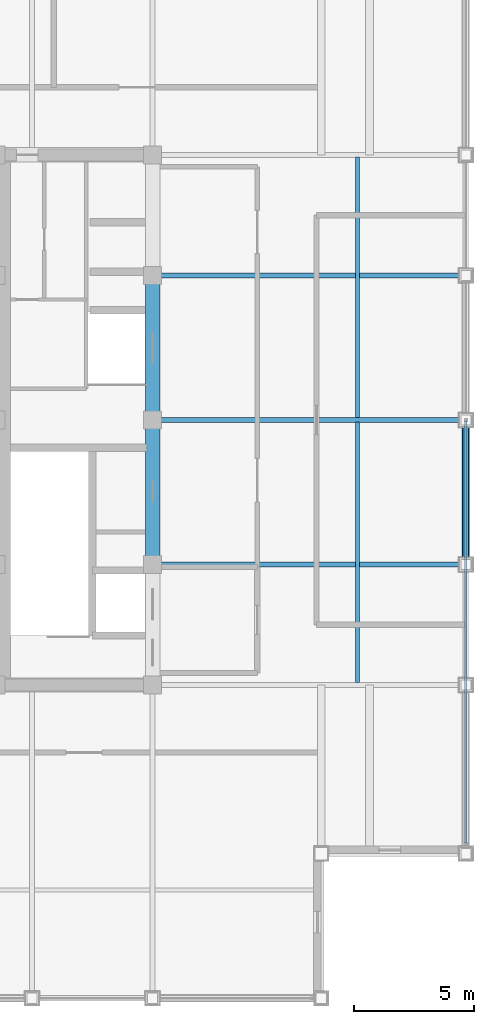
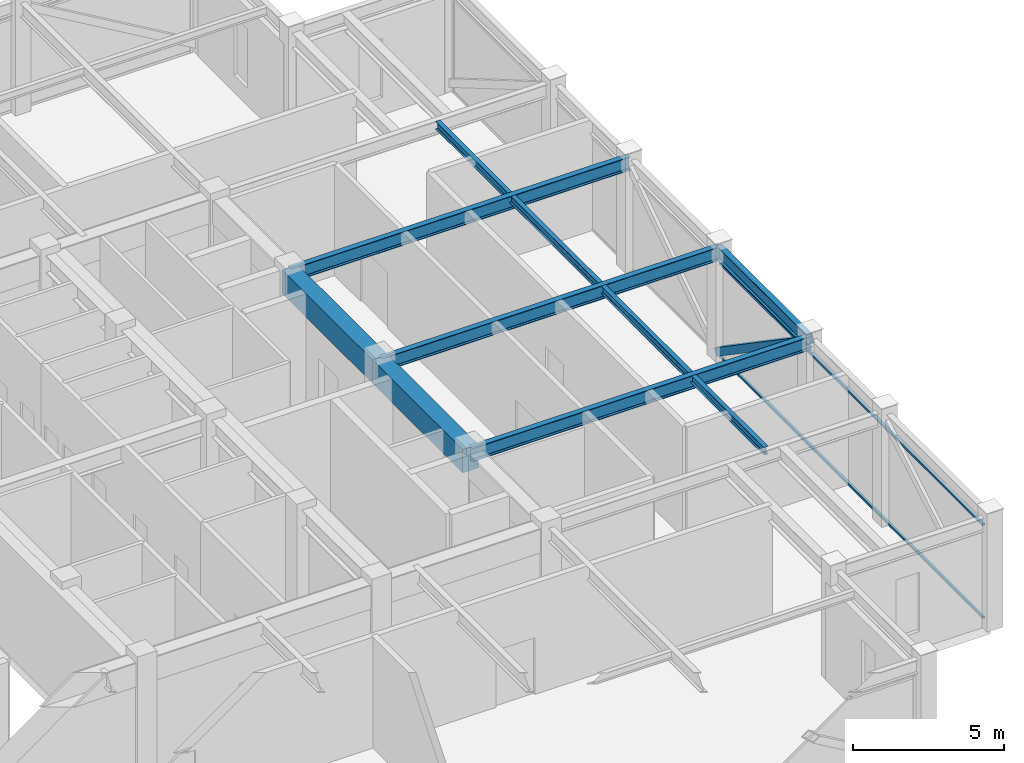
# One storey, part 11 of 27: 8 beams, 3 members, 1 element without a shape of its own.
"""IFC4 building model written with IfcOpenShell, lengths in metres."""

from ifc_helpers import new_model, si_unit, direction, frame, origin, origin_2d, place, context, subcontext, project, spatial, rectangle, hollow_rectangle, i_section, extrude, source, transform, mapped, material, material_profile, profile_set, type_object, element, aggregate, save


model = new_model("IFC4")

# Units and contexts
model_context = context("Model", 3, precision=1e-05, world=origin(), true_north=direction((0.0, 1.0)))
body_context = subcontext(model_context, "Body", "Model", "MODEL_VIEW")
ifc_project = project(units=[si_unit("LENGTHUNIT", "METRE"), si_unit("AREAUNIT", "SQUARE_METRE"), si_unit("VOLUMEUNIT", "CUBIC_METRE"), si_unit("PLANEANGLEUNIT", "RADIAN"), si_unit("MASSUNIT", "GRAM", prefix="KILO")], contexts=[model_context])

# Site, building, storey
site_placement = place(None, origin())
site = spatial("IfcSite", under=ifc_project, at=site_placement, CompositionType="ELEMENT")
building_placement = place(site_placement, origin())
building = spatial("IfcBuilding", under=site, at=building_placement, Name="Khorayat Bourse Tower", CompositionType="ELEMENT")
storey_placement = place(building_placement, frame((0.0, 0.0, 399.5)))
storey = spatial("IfcBuildingStorey", under=building, at=storey_placement, Name="L94", CompositionType="ELEMENT", Elevation=399.5)

# Beams
ifc_material_1 = material(Name="Concrete C60/75", Category="concrete")
ifc_material_profile_1 = material_profile(ifc_material_1, rectangle(XDim=0.60009765625, YDim=0.949951171875, at=origin_2d()), Name="RC 600x950")
ifc_profile_set_1 = profile_set([ifc_material_profile_1], Name="Concrete C60/75")
beam_type_1 = type_object("IfcBeamType", Name="BM-COUP-950", PredefinedType="BEAM", material=ifc_profile_set_1)
shared_shape_1 = source(origin(), body_context, "Body", "SweptSolid", [
    extrude(rectangle(XDim=0.60009765625, YDim=0.949951171875, at=origin_2d()), origin(), (0.0, 0.0, 1.0), 6.0),
])
for number, where, z_axis, x_axis, name in (
    (1, (11.0, -6.0, 4.02490234375), (0.0, 1.0, 0.0), (-1.0, 0.0, 0.0), "L94 BM-COUP-950 BM-L94-CRX-14"),
    (2, (11.0, 0.0, 4.02490234375), (0.0, 1.0, 0.0), (-1.0, 0.0, 0.0), "L94 BM-COUP-950 BM-L94-CRX-15"),
):
    element("IfcBeam", number, at=place(storey_placement, frame(where, z_axis=z_axis, x_axis=x_axis)), inside=storey, type_object=beam_type_1, Name=name, PredefinedType="BEAM", context=body_context, shape_type="MappedRepresentation", body=[
        mapped(shared_shape_1, transform((0.0, 0.0, 0.0), scale=1.0)),
    ])
ifc_material_2 = material(Name="Steel ASTM A992 Grade 50", Category="steel")
ifc_material_profile_2 = material_profile(ifc_material_2, i_section(OverallWidth=0.214111328125, OverallDepth=0.549072265625, WebThickness=0.0146484375, FlangeThickness=0.023681640625, FilletRadius=0.013916015625, at=origin_2d()), Name="W530X138")
ifc_profile_set_2 = profile_set([ifc_material_profile_2], Name="Steel ASTM A992 Grade 50")
beam_type_2 = type_object("IfcBeamType", Name="BM-SPAN-530", PredefinedType="SPANDREL", material=ifc_profile_set_2)
shared_shape_2 = source(origin(), body_context, "Body", "SweptSolid", [
    extrude(i_section(OverallWidth=0.214111328125, OverallDepth=0.549072265625, WebThickness=0.0146484375, FlangeThickness=0.023681640625, FilletRadius=0.013916015625, at=origin_2d()), origin(), (0.0, 0.0, 1.0), 6.0),
])
beam_placement = place(storey_placement, frame((24.0, -6.0, 4.2255859375), z_axis=(0.0, 1.0, 0.0), x_axis=(-1.0, 0.0, 0.0)))
element("IfcBeam", 3, at=beam_placement, inside=storey, type_object=beam_type_2, Name="L94 BM-SPAN-530 BM-L94-SPN-034", PredefinedType="SPANDREL", context=body_context, shape_type="MappedRepresentation", body=[
    mapped(shared_shape_2, transform((0.0, 0.0, 0.0), scale=1.0)),
])
ifc_material_profile_3 = material_profile(ifc_material_2, i_section(OverallWidth=0.214111328125, OverallDepth=0.549072265625, WebThickness=0.0146484375, FlangeThickness=0.023681640625, FilletRadius=0.013916015625, at=origin_2d()), Name="W530X138")
ifc_profile_set_3 = profile_set([ifc_material_profile_3], Name="Steel ASTM A992 Grade 50")
beam_type_3 = type_object("IfcBeamType", Name="BM-GIRD-530", PredefinedType="BEAM", material=ifc_profile_set_3)
shared_shape_3 = source(origin(), body_context, "Body", "SweptSolid", [
    extrude(i_section(OverallWidth=0.214111328125, OverallDepth=0.549072265625, WebThickness=0.0146484375, FlangeThickness=0.023681640625, FilletRadius=0.013916015625, at=origin_2d()), origin(), (0.0, 0.0, 1.0), 13.0),
])
for number, where, z_axis, x_axis, name in (
    (4, (11.0, -6.0, 4.2255859375), (1.0, 0.0, 0.0), (0.0, 1.0, 0.0), "L94 BM-GIRD-530 BM-L94-RADX-068"),
    (5, (11.0, 0.0, 4.2255859375), (1.0, 0.0, 0.0), (0.0, 1.0, 0.0), "L94 BM-GIRD-530 BM-L94-RADX-070"),
    (6, (11.0, 6.0, 4.2255859375), (1.0, 0.0, 0.0), (0.0, 1.0, 0.0), "L94 BM-GIRD-530 BM-L94-RADX-072"),
):
    element("IfcBeam", number, at=place(storey_placement, frame(where, z_axis=z_axis, x_axis=x_axis)), inside=storey, type_object=beam_type_3, Name=name, PredefinedType="BEAM", context=body_context, shape_type="MappedRepresentation", body=[
        mapped(shared_shape_3, transform((0.0, 0.0, 0.0), scale=1.0)),
    ])
ifc_material_profile_4 = material_profile(ifc_material_2, i_section(OverallWidth=0.1669921875, OverallDepth=0.31689453125, WebThickness=0.007568359375, FlangeThickness=0.01318359375, FilletRadius=0.010009765625, at=origin_2d()), Name="W310X52")
ifc_profile_set_4 = profile_set([ifc_material_profile_4], Name="Steel ASTM A992 Grade 50")
beam_type_4 = type_object("IfcBeamType", Name="BM-JOIST-310", PredefinedType="JOIST", material=ifc_profile_set_4)
shared_shape_4 = source(origin(), body_context, "Body", "SweptSolid", [
    extrude(i_section(OverallWidth=0.1669921875, OverallDepth=0.31689453125, WebThickness=0.007568359375, FlangeThickness=0.01318359375, FilletRadius=0.010009765625, at=origin_2d()), origin(), (0.0, 0.0, 1.0), 10.81005859375),
])
for number, where, z_axis, x_axis, name in (
    (7, (19.5, -10.905029296875, 4.341552734375), (0.0, 1.0, 0.0), (-1.0, 0.0, 0.0), "L94 BM-JOIST-310 BM-L94-JSTY-092"),
    (8, (19.5, 0.094970703125, 4.341552734375), (0.0, 1.0, 0.0), (-1.0, 0.0, 0.0), "L94 BM-JOIST-310 BM-L94-JSTY-093"),
):
    element("IfcBeam", number, at=place(storey_placement, frame(where, z_axis=z_axis, x_axis=x_axis)), inside=storey, type_object=beam_type_4, Name=name, PredefinedType="JOIST", context=body_context, shape_type="MappedRepresentation", body=[
        mapped(shared_shape_4, transform((0.0, 0.0, 0.0), scale=1.0)),
    ])

# Member
ifc_material_3 = material(Name="Steel EN 10025-2 S355J2", Category="steel")
ifc_material_profile_5 = material_profile(ifc_material_3, hollow_rectangle(XDim=0.300048828125, YDim=0.300048828125, WallThickness=0.01611328125, at=origin_2d()), Name="HSS 300x300x16")
ifc_profile_set_5 = profile_set([ifc_material_profile_5], Name="Steel EN 10025-2 S355J2")
member_type_1 = type_object("IfcMemberType", Name="MBR-CROWN-300", PredefinedType="USERDEFINED", material=ifc_profile_set_5)
shared_shape_5 = source(origin(), body_context, "Body", "SweptSolid", [
    extrude(hollow_rectangle(XDim=0.300048828125, YDim=0.300048828125, WallThickness=0.01611328125, at=origin_2d()), origin(), (0.0, 0.0, 1.0), 7.26708984375),
])
member_1_placement = place(storey_placement, frame((24.0, -6.0, 4.300048828125), z_axis=(0.0, 0.825638381691, -0.564199665614), x_axis=(-1.0, 0.0, 0.0)))
element("IfcMember", 9, at=member_1_placement, inside=storey, type_object=member_type_1, Name="L94 Lantern Crown Frame Member 14", ObjectType="CROWN FRAME", PredefinedType="USERDEFINED", context=body_context, shape_type="MappedRepresentation", body=[
    mapped(shared_shape_5, transform((0.0, 0.0, 0.0), scale=1.0)),
])

# Curtain wall, members
ifc_material_4 = material(Name="Aluminium EN AW-6063 T6", Category="aluminium")
curtain_wall_type = type_object("IfcCurtainWallType", Name="CW-SYS-07", PredefinedType="NOTDEFINED", material=ifc_material_4)
curtain_wall_placement = place(storey_placement, origin())
curtain_wall = element("IfcCurtainWall", 10, at=curtain_wall_placement, inside=storey, type_object=curtain_wall_type, Name="L94 Curtain Wall CW-L94-E1", PredefinedType="NOTDEFINED")
ifc_material_profile_6 = material_profile(ifc_material_4, hollow_rectangle(XDim=0.090087890625, YDim=0.090087890625, WallThickness=0.00390625, at=origin_2d()), Name="ALU 90x90x4")
ifc_profile_set_6 = profile_set([ifc_material_profile_6], Name="Aluminium EN AW-6063 T6")
member_type_2 = type_object("IfcMemberType", Name="CWT-HORZ-90", PredefinedType="USERDEFINED", material=ifc_profile_set_6)
shared_shape_6 = source(origin(), body_context, "Body", "SweptSolid", [
    extrude(hollow_rectangle(XDim=0.090087890625, YDim=0.090087890625, WallThickness=0.00390625, at=origin_2d()), origin(), (0.0, 0.0, 1.0), 17.5),
])
member_2_placement = place(storey_placement, frame((24.0, -17.550048828125, 0.044921875), z_axis=(0.0, 1.0, 0.0), x_axis=(-1.0, 0.0, 0.0)))
member_2 = element("IfcMember", 11, at=member_2_placement, type_object=member_type_2, Name="CW-L94-E1 Horizontal Transom 1-1", ObjectType="TRANSOM", PredefinedType="USERDEFINED", context=body_context, shape_type="MappedRepresentation", body=[
    mapped(shared_shape_6, transform((0.0, 0.0, 0.0), scale=1.0)),
])
member_3_placement = place(storey_placement, frame((24.0, -17.550048828125, 3.804931640625), z_axis=(0.0, 1.0, 0.0), x_axis=(-1.0, 0.0, 0.0)))
member_3 = element("IfcMember", 12, at=member_3_placement, type_object=member_type_2, Name="CW-L94-E1 Horizontal Transom 1-2", ObjectType="TRANSOM", PredefinedType="USERDEFINED", context=body_context, shape_type="MappedRepresentation", body=[
    mapped(shared_shape_6, transform((0.0, 0.0, 0.0), scale=1.0)),
])
aggregate(curtain_wall, [member_2, member_3])

save(model, "model.ifc")
